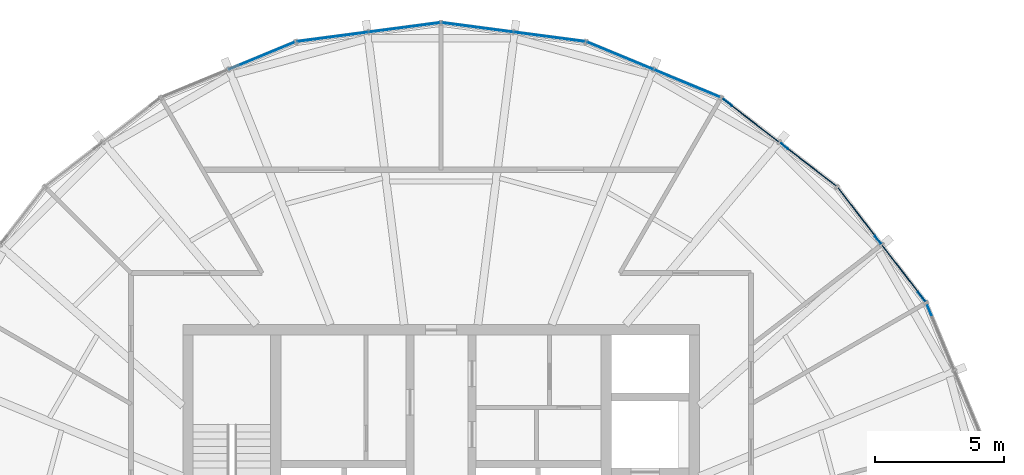
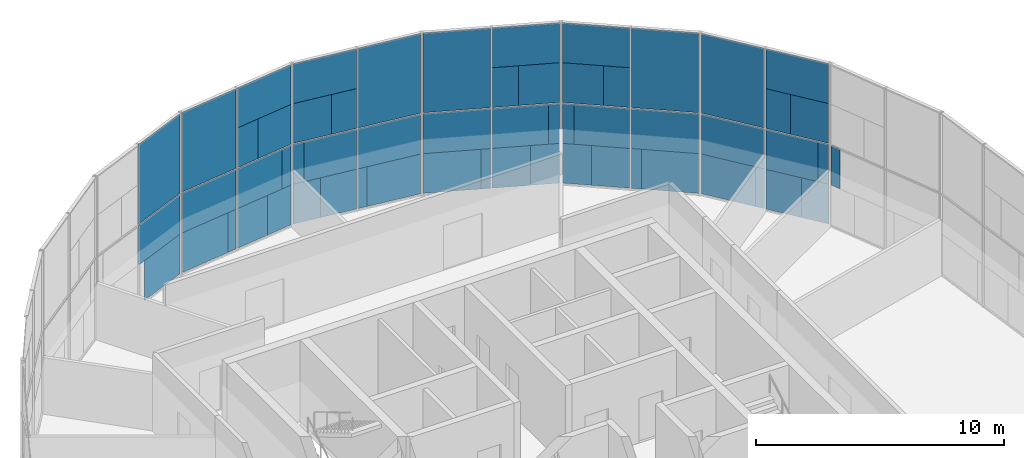
# One storey, part 14 of 18: 59 plates, 7 elements without a shape of their own.
"""IFC4 building model written with IfcOpenShell, lengths in metres."""

from ifc_helpers import new_model, si_unit, direction, frame, origin, origin_2d, place, context, subcontext, project, spatial, rectangle, extrude, material, layer, layer_set, type_object, element, aggregate, save


model = new_model("IFC4")

# Units and contexts
model_context = context("Model", 3, precision=1e-05, world=origin(), true_north=direction((0.0, 1.0)))
body_context = subcontext(model_context, "Body", "Model", "MODEL_VIEW")
ifc_project = project(units=[si_unit("LENGTHUNIT", "METRE"), si_unit("AREAUNIT", "SQUARE_METRE"), si_unit("VOLUMEUNIT", "CUBIC_METRE"), si_unit("PLANEANGLEUNIT", "RADIAN"), si_unit("MASSUNIT", "GRAM", prefix="KILO")], contexts=[model_context])

# Site, building, storey
site_placement = place(None, origin())
site = spatial("IfcSite", under=ifc_project, at=site_placement, CompositionType="ELEMENT")
building_placement = place(site_placement, origin())
building = spatial("IfcBuilding", under=site, at=building_placement, Name="Golbaran Civic Tower", CompositionType="ELEMENT")
storey_placement = place(building_placement, frame((0.0, 0.0, 272.0)))
storey = spatial("IfcBuildingStorey", under=building, at=storey_placement, Name="L66", CompositionType="ELEMENT", Elevation=272.0)

# Curtain wall, plate
ifc_material_1 = material(Name="Aluminium and glass", Category="aluminium")
curtain_wall_type = type_object("IfcCurtainWallType", Name="INNER SKIN CURTAIN WALL EXECUTIVE", PredefinedType="NOTDEFINED", material=ifc_material_1)
curtain_wall_1_placement = place(storey_placement, origin())
curtain_wall_1 = element("IfcCurtainWall", 1, at=curtain_wall_1_placement, inside=storey, type_object=curtain_wall_type, Name="Inner skin L66 facet 2 CW2", ObjectType="INNER SKIN", PredefinedType="USERDEFINED")
ifc_material_2 = material(Name="Clear insulating glass", Category="glass")
ifc_layer_1 = layer(ifc_material_2, 0.031982421875, Name="Clear insulating glass")
ifc_layer_set_1 = layer_set([ifc_layer_1], Name="Clear insulating glass")
plate_type_1 = type_object("IfcPlateType", Name="INNER SKIN CURTAIN WALL EXECUTIVE GLAZED PANEL", PredefinedType="CURTAIN_PANEL", material=ifc_layer_set_1)
plate_1_placement = place(storey_placement, frame((18.90283203125, 10.58154296875, 2.014892578125), z_axis=(0.0, 0.0, 1.0), x_axis=(-0.382683432397, 0.923879532498, 0.0)))
plate_1 = element("IfcPlate", 2, at=plate_1_placement, type_object=plate_type_1, Name="CW2 panel 2.1 part 4", PredefinedType="CURTAIN_PANEL", context=body_context, shape_type="SweptSolid", body=[
    extrude(rectangle(XDim=0.460205078125, YDim=0.031982421875, at=origin_2d()), origin(), (0.0, 0.0, 1.0), 1.955078125),
])
aggregate(curtain_wall_1, [plate_1])

# Curtain wall, plates
curtain_wall_2_placement = place(storey_placement, origin())
curtain_wall_2 = element("IfcCurtainWall", 3, at=curtain_wall_2_placement, inside=storey, type_object=curtain_wall_type, Name="Inner skin L66 facet 3 CW2", ObjectType="INNER SKIN", PredefinedType="USERDEFINED")
plate_2_placement = place(storey_placement, frame((18.395263671875, 11.366455078125, 0.06005859375), z_axis=(0.0, 0.0, 1.0), x_axis=(-0.608761429036, 0.79335334027, 0.0)))
plate_2 = element("IfcPlate", 4, at=plate_2_placement, type_object=plate_type_1, Name="CW2 panel 1.1 part 1", PredefinedType="CURTAIN_PANEL", context=body_context, shape_type="SweptSolid", body=[
    extrude(rectangle(XDim=1.18310546875, YDim=0.031982421875, at=origin_2d()), origin(), (0.0, 0.0, 1.0), 1.955078125),
])
plate_3_placement = place(storey_placement, frame((18.615234375, 11.07958984375, 2.014892578125), z_axis=(0.0, 0.0, 1.0), x_axis=(-0.608761429036, 0.79335334027, 0.0)))
plate_3 = element("IfcPlate", 5, at=plate_3_placement, type_object=plate_type_1, Name="CW2 panel 1.1 part 3", PredefinedType="CURTAIN_PANEL", context=body_context, shape_type="SweptSolid", body=[
    extrude(rectangle(XDim=0.4599609375, YDim=0.031982421875, at=origin_2d()), origin(), (0.0, 0.0, 1.0), 1.955078125),
])
plate_4_placement = place(storey_placement, frame((17.412109375, 12.647705078125, 4.030029296875), z_axis=(0.0, 0.0, 1.0), x_axis=(-0.608761429036, 0.79335334027, 0.0)))
plate_4 = element("IfcPlate", 6, at=plate_4_placement, type_object=plate_type_1, Name="CW2 panel 1.2 part 2", PredefinedType="CURTAIN_PANEL", context=body_context, shape_type="SweptSolid", body=[
    extrude(rectangle(XDim=1.0712890625, YDim=0.031982421875, at=origin_2d()), origin(), (0.0, 0.0, 1.0), 1.955078125),
])
plate_5_placement = place(storey_placement, frame((16.0927734375, 14.3671875, 0.06005859375), z_axis=(0.0, 0.0, 1.0), x_axis=(-0.608761429036, 0.79335334027, 0.0)))
plate_5 = element("IfcPlate", 7, at=plate_5_placement, type_object=plate_type_1, Name="CW2 panel 2.1 part 2", PredefinedType="CURTAIN_PANEL", context=body_context, shape_type="SweptSolid", body=[
    extrude(rectangle(XDim=2.34130859375, YDim=0.031982421875, at=origin_2d()), origin(), (0.0, 0.0, 1.0), 1.955078125),
])
plate_6_placement = place(storey_placement, frame((16.21484375, 14.2080078125, 2.014892578125), z_axis=(0.0, 0.0, 1.0), x_axis=(-0.608761429036, 0.79335334027, 0.0)))
plate_6 = element("IfcPlate", 8, at=plate_6_placement, type_object=plate_type_1, Name="CW2 panel 2.1 part 3", PredefinedType="CURTAIN_PANEL", context=body_context, shape_type="SweptSolid", body=[
    extrude(rectangle(XDim=2.7421875, YDim=0.031982421875, at=origin_2d()), origin(), (0.0, 0.0, 1.0), 1.955078125),
])
plate_7_placement = place(storey_placement, frame((16.21484375, 14.2080078125, 4.0302734375), z_axis=(0.0, 0.0, 1.0), x_axis=(-0.608761429036, 0.79335334027, 0.0)))
plate_7 = element("IfcPlate", 9, at=plate_7_placement, type_object=plate_type_1, Name="CW2 panel 2.2", PredefinedType="CURTAIN_PANEL", context=body_context, shape_type="SweptSolid", body=[
    extrude(rectangle(XDim=2.7421875, YDim=0.031982421875, at=origin_2d()), origin(), (0.0, 0.0, 1.0), 3.909912109375),
])

curtain_wall_3_placement = place(storey_placement, origin())
curtain_wall_3 = element("IfcCurtainWall", 10, at=curtain_wall_3_placement, inside=storey, type_object=curtain_wall_type, Name="Inner skin L66 facet 4 CW2", ObjectType="INNER SKIN", PredefinedType="USERDEFINED")
plate_8_placement = place(storey_placement, frame((14.3671875, 16.092529296875, 0.06005859375), z_axis=(0.0, 0.0, 1.0), x_axis=(-0.79335334027, 0.608761429036, 0.0)))
plate_8 = element("IfcPlate", 11, at=plate_8_placement, type_object=plate_type_1, Name="CW2 panel 1.1 part 1", PredefinedType="CURTAIN_PANEL", context=body_context, shape_type="SweptSolid", body=[
    extrude(rectangle(XDim=2.341064453125, YDim=0.031982421875, at=origin_2d()), origin(), (0.0, 0.0, 1.0), 1.955078125),
])
plate_9_placement = place(storey_placement, frame((14.2080078125, 16.21484375, 2.014892578125), z_axis=(0.0, 0.0, 1.0), x_axis=(-0.79335334027, 0.608761429036, 0.0)))
plate_9 = element("IfcPlate", 12, at=plate_9_placement, type_object=plate_type_1, Name="CW2 panel 1.1 part 3", PredefinedType="CURTAIN_PANEL", context=body_context, shape_type="SweptSolid", body=[
    extrude(rectangle(XDim=2.7421875, YDim=0.031982421875, at=origin_2d()), origin(), (0.0, 0.0, 1.0), 1.955078125),
])
plate_10_placement = place(storey_placement, frame((14.2080078125, 16.21484375, 4.0302734375), z_axis=(0.0, 0.0, 1.0), x_axis=(-0.79335334027, 0.608761429036, 0.0)))
plate_10 = element("IfcPlate", 13, at=plate_10_placement, type_object=plate_type_1, Name="CW2 panel 1.2", PredefinedType="CURTAIN_PANEL", context=body_context, shape_type="SweptSolid", body=[
    extrude(rectangle(XDim=2.7421875, YDim=0.031982421875, at=origin_2d()), origin(), (0.0, 0.0, 1.0), 3.909912109375),
])
plate_11_placement = place(storey_placement, frame((11.366455078125, 18.395263671875, 0.06005859375), z_axis=(0.0, 0.0, 1.0), x_axis=(-0.79335334027, 0.608761429036, 0.0)))
plate_11 = element("IfcPlate", 14, at=plate_11_placement, type_object=plate_type_1, Name="CW2 panel 2.1 part 2", PredefinedType="CURTAIN_PANEL", context=body_context, shape_type="SweptSolid", body=[
    extrude(rectangle(XDim=1.183349609375, YDim=0.031982421875, at=origin_2d()), origin(), (0.0, 0.0, 1.0), 1.955078125),
])
plate_12_placement = place(storey_placement, frame((11.07958984375, 18.615234375, 2.014892578125), z_axis=(0.0, 0.0, 1.0), x_axis=(-0.79335334027, 0.608761429036, 0.0)))
plate_12 = element("IfcPlate", 15, at=plate_12_placement, type_object=plate_type_1, Name="CW2 panel 2.1 part 4", PredefinedType="CURTAIN_PANEL", context=body_context, shape_type="SweptSolid", body=[
    extrude(rectangle(XDim=0.460205078125, YDim=0.031982421875, at=origin_2d()), origin(), (0.0, 0.0, 1.0), 1.955078125),
])
plate_13_placement = place(storey_placement, frame((12.64794921875, 17.411865234375, 4.030029296875), z_axis=(0.0, 0.0, 1.0), x_axis=(-0.79335334027, 0.608761429036, 0.0)))
plate_13 = element("IfcPlate", 16, at=plate_13_placement, type_object=plate_type_1, Name="CW2 panel 2.2 part 1", PredefinedType="CURTAIN_PANEL", context=body_context, shape_type="SweptSolid", body=[
    extrude(rectangle(XDim=1.071044921875, YDim=0.031982421875, at=origin_2d()), origin(), (0.0, 0.0, 1.0), 1.955078125),
])

curtain_wall_4_placement = place(storey_placement, origin())
curtain_wall_4 = element("IfcCurtainWall", 17, at=curtain_wall_4_placement, inside=storey, type_object=curtain_wall_type, Name="Inner skin L66 facet 5 CW2", ObjectType="INNER SKIN", PredefinedType="USERDEFINED")
plate_14_placement = place(storey_placement, frame((10.24755859375, 19.041259765625, 0.06005859375), z_axis=(0.0, 0.0, 1.0), x_axis=(-0.923879532498, 0.382683432397, 0.0)))
plate_14 = element("IfcPlate", 18, at=plate_14_placement, type_object=plate_type_1, Name="CW2 panel 1.1 part 1", PredefinedType="CURTAIN_PANEL", context=body_context, shape_type="SweptSolid", body=[
    extrude(rectangle(XDim=1.18310546875, YDim=0.031982421875, at=origin_2d()), origin(), (0.0, 0.0, 1.0), 1.955078125),
])
plate_15_placement = place(storey_placement, frame((10.58154296875, 18.90283203125, 2.014892578125), z_axis=(0.0, 0.0, 1.0), x_axis=(-0.923879532498, 0.382683432397, 0.0)))
plate_15 = element("IfcPlate", 19, at=plate_15_placement, type_object=plate_type_1, Name="CW2 panel 1.1 part 3", PredefinedType="CURTAIN_PANEL", context=body_context, shape_type="SweptSolid", body=[
    extrude(rectangle(XDim=0.4599609375, YDim=0.031982421875, at=origin_2d()), origin(), (0.0, 0.0, 1.0), 1.955078125),
])
plate_16_placement = place(storey_placement, frame((8.75537109375, 19.6591796875, 4.030029296875), z_axis=(0.0, 0.0, 1.0), x_axis=(-0.923879532498, 0.382683432397, 0.0)))
plate_16 = element("IfcPlate", 20, at=plate_16_placement, type_object=plate_type_1, Name="CW2 panel 1.2 part 2", PredefinedType="CURTAIN_PANEL", context=body_context, shape_type="SweptSolid", body=[
    extrude(rectangle(XDim=1.0712890625, YDim=0.031982421875, at=origin_2d()), origin(), (0.0, 0.0, 1.0), 1.955078125),
])
plate_17_placement = place(storey_placement, frame((6.753173828125, 20.48876953125, 0.06005859375), z_axis=(0.0, 0.0, 1.0), x_axis=(-0.923879532498, 0.382683432397, 0.0)))
plate_17 = element("IfcPlate", 21, at=plate_17_placement, type_object=plate_type_1, Name="CW2 panel 2.1 part 2", PredefinedType="CURTAIN_PANEL", context=body_context, shape_type="SweptSolid", body=[
    extrude(rectangle(XDim=2.34130859375, YDim=0.031982421875, at=origin_2d()), origin(), (0.0, 0.0, 1.0), 1.955078125),
])
plate_18_placement = place(storey_placement, frame((6.938232421875, 20.411865234375, 2.014892578125), z_axis=(0.0, 0.0, 1.0), x_axis=(-0.923879532498, 0.382683432397, 0.0)))
plate_18 = element("IfcPlate", 22, at=plate_18_placement, type_object=plate_type_1, Name="CW2 panel 2.1 part 3", PredefinedType="CURTAIN_PANEL", context=body_context, shape_type="SweptSolid", body=[
    extrude(rectangle(XDim=2.7421875, YDim=0.031982421875, at=origin_2d()), origin(), (0.0, 0.0, 1.0), 1.955078125),
])
plate_19_placement = place(storey_placement, frame((6.938232421875, 20.411865234375, 4.0302734375), z_axis=(0.0, 0.0, 1.0), x_axis=(-0.923879532498, 0.382683432397, 0.0)))
plate_19 = element("IfcPlate", 23, at=plate_19_placement, type_object=plate_type_1, Name="CW2 panel 2.2", PredefinedType="CURTAIN_PANEL", context=body_context, shape_type="SweptSolid", body=[
    extrude(rectangle(XDim=2.7421875, YDim=0.031982421875, at=origin_2d()), origin(), (0.0, 0.0, 1.0), 3.909912109375),
])

curtain_wall_5_placement = place(storey_placement, origin())
curtain_wall_5 = element("IfcCurtainWall", 24, at=curtain_wall_5_placement, inside=storey, type_object=curtain_wall_type, Name="Inner skin L66 facet 6 CW2", ObjectType="INNER SKIN", PredefinedType="USERDEFINED")
plate_20_placement = place(storey_placement, frame((4.396240234375, 21.1201171875, 0.06005859375), z_axis=(0.0, 0.0, 1.0), x_axis=(-0.991444861383, 0.130526192151, 0.0)))
plate_20 = element("IfcPlate", 25, at=plate_20_placement, type_object=plate_type_1, Name="CW2 panel 1.1 part 1", PredefinedType="CURTAIN_PANEL", context=body_context, shape_type="SweptSolid", body=[
    extrude(rectangle(XDim=2.341064453125, YDim=0.031982421875, at=origin_2d()), origin(), (0.0, 0.0, 1.0), 1.955078125),
])
plate_21_placement = place(storey_placement, frame((4.197265625, 21.146484375, 2.014892578125), z_axis=(0.0, 0.0, 1.0), x_axis=(-0.991444861383, 0.130526192151, 0.0)))
plate_21 = element("IfcPlate", 26, at=plate_21_placement, type_object=plate_type_1, Name="CW2 panel 1.1 part 3", PredefinedType="CURTAIN_PANEL", context=body_context, shape_type="SweptSolid", body=[
    extrude(rectangle(XDim=2.7421875, YDim=0.031982421875, at=origin_2d()), origin(), (0.0, 0.0, 1.0), 1.955078125),
])
plate_22_placement = place(storey_placement, frame((4.197265625, 21.146484375, 4.0302734375), z_axis=(0.0, 0.0, 1.0), x_axis=(-0.991444861383, 0.130526192151, 0.0)))
plate_22 = element("IfcPlate", 27, at=plate_22_placement, type_object=plate_type_1, Name="CW2 panel 1.2", PredefinedType="CURTAIN_PANEL", context=body_context, shape_type="SweptSolid", body=[
    extrude(rectangle(XDim=2.7421875, YDim=0.031982421875, at=origin_2d()), origin(), (0.0, 0.0, 1.0), 3.909912109375),
])
plate_23_placement = place(storey_placement, frame((0.64599609375, 21.614013671875, 0.06005859375), z_axis=(0.0, 0.0, 1.0), x_axis=(-0.991444861383, 0.130526192151, 0.0)))
plate_23 = element("IfcPlate", 28, at=plate_23_placement, type_object=plate_type_1, Name="CW2 panel 2.1 part 2", PredefinedType="CURTAIN_PANEL", context=body_context, shape_type="SweptSolid", body=[
    extrude(rectangle(XDim=1.183349609375, YDim=0.031982421875, at=origin_2d()), origin(), (0.0, 0.0, 1.0), 1.955078125),
])
plate_24_placement = place(storey_placement, frame((0.28759765625, 21.6611328125, 2.014892578125), z_axis=(0.0, 0.0, 1.0), x_axis=(-0.991444861383, 0.130526192151, 0.0)))
plate_24 = element("IfcPlate", 29, at=plate_24_placement, type_object=plate_type_1, Name="CW2 panel 2.1 part 4", PredefinedType="CURTAIN_PANEL", context=body_context, shape_type="SweptSolid", body=[
    extrude(rectangle(XDim=0.460205078125, YDim=0.031982421875, at=origin_2d()), origin(), (0.0, 0.0, 1.0), 1.955078125),
])
plate_25_placement = place(storey_placement, frame((2.247314453125, 21.403076171875, 4.030029296875), z_axis=(0.0, 0.0, 1.0), x_axis=(-0.991444861383, 0.130526192151, 0.0)))
plate_25 = element("IfcPlate", 30, at=plate_25_placement, type_object=plate_type_1, Name="CW2 panel 2.2 part 1", PredefinedType="CURTAIN_PANEL", context=body_context, shape_type="SweptSolid", body=[
    extrude(rectangle(XDim=1.071044921875, YDim=0.031982421875, at=origin_2d()), origin(), (0.0, 0.0, 1.0), 1.955078125),
])

curtain_wall_6_placement = place(storey_placement, origin())
curtain_wall_6 = element("IfcCurtainWall", 31, at=curtain_wall_6_placement, inside=storey, type_object=curtain_wall_type, Name="Inner skin L66 facet 7 CW2", ObjectType="INNER SKIN", PredefinedType="USERDEFINED")
plate_26_placement = place(storey_placement, frame((-0.64599609375, 21.614013671875, 0.06005859375), z_axis=(0.0, 0.0, 1.0), x_axis=(-0.991444861383, -0.130526192151, 0.0)))
plate_26 = element("IfcPlate", 32, at=plate_26_placement, type_object=plate_type_1, Name="CW2 panel 1.1 part 1", PredefinedType="CURTAIN_PANEL", context=body_context, shape_type="SweptSolid", body=[
    extrude(rectangle(XDim=1.18310546875, YDim=0.031982421875, at=origin_2d()), origin(), (0.0, 0.0, 1.0), 1.955078125),
])
plate_27_placement = place(storey_placement, frame((-0.28759765625, 21.6611328125, 2.014892578125), z_axis=(0.0, 0.0, 1.0), x_axis=(-0.991444861383, -0.130526192151, 0.0)))
plate_27 = element("IfcPlate", 33, at=plate_27_placement, type_object=plate_type_1, Name="CW2 panel 1.1 part 3", PredefinedType="CURTAIN_PANEL", context=body_context, shape_type="SweptSolid", body=[
    extrude(rectangle(XDim=0.4599609375, YDim=0.031982421875, at=origin_2d()), origin(), (0.0, 0.0, 1.0), 1.955078125),
])
plate_28_placement = place(storey_placement, frame((-2.247314453125, 21.403076171875, 4.030029296875), z_axis=(0.0, 0.0, 1.0), x_axis=(-0.991444861383, -0.130526192151, 0.0)))
plate_28 = element("IfcPlate", 34, at=plate_28_placement, type_object=plate_type_1, Name="CW2 panel 1.2 part 2", PredefinedType="CURTAIN_PANEL", context=body_context, shape_type="SweptSolid", body=[
    extrude(rectangle(XDim=1.0712890625, YDim=0.031982421875, at=origin_2d()), origin(), (0.0, 0.0, 1.0), 1.955078125),
])
plate_29_placement = place(storey_placement, frame((-4.39599609375, 21.120361328125, 0.06005859375), z_axis=(0.0, 0.0, 1.0), x_axis=(-0.991444861383, -0.130526192151, 0.0)))
plate_29 = element("IfcPlate", 35, at=plate_29_placement, type_object=plate_type_1, Name="CW2 panel 2.1 part 2", PredefinedType="CURTAIN_PANEL", context=body_context, shape_type="SweptSolid", body=[
    extrude(rectangle(XDim=2.34130859375, YDim=0.031982421875, at=origin_2d()), origin(), (0.0, 0.0, 1.0), 1.955078125),
])
plate_30_placement = place(storey_placement, frame((-4.197265625, 21.146484375, 2.014892578125), z_axis=(0.0, 0.0, 1.0), x_axis=(-0.991444861383, -0.130526192151, 0.0)))
plate_30 = element("IfcPlate", 36, at=plate_30_placement, type_object=plate_type_1, Name="CW2 panel 2.1 part 3", PredefinedType="CURTAIN_PANEL", context=body_context, shape_type="SweptSolid", body=[
    extrude(rectangle(XDim=2.7421875, YDim=0.031982421875, at=origin_2d()), origin(), (0.0, 0.0, 1.0), 1.955078125),
])
plate_31_placement = place(storey_placement, frame((-4.197265625, 21.146484375, 4.0302734375), z_axis=(0.0, 0.0, 1.0), x_axis=(-0.991444861383, -0.130526192151, 0.0)))
plate_31 = element("IfcPlate", 37, at=plate_31_placement, type_object=plate_type_1, Name="CW2 panel 2.2", PredefinedType="CURTAIN_PANEL", context=body_context, shape_type="SweptSolid", body=[
    extrude(rectangle(XDim=2.7421875, YDim=0.031982421875, at=origin_2d()), origin(), (0.0, 0.0, 1.0), 3.909912109375),
])

curtain_wall_7_placement = place(storey_placement, origin())
curtain_wall_7 = element("IfcCurtainWall", 38, at=curtain_wall_7_placement, inside=storey, type_object=curtain_wall_type, Name="Inner skin L66 facet 8 CW2", ObjectType="INNER SKIN", PredefinedType="USERDEFINED")
plate_32_placement = place(storey_placement, frame((-6.7529296875, 20.48876953125, 0.06005859375), z_axis=(0.0, 0.0, 1.0), x_axis=(-0.923879532498, -0.382683432397, 0.0)))
plate_32 = element("IfcPlate", 39, at=plate_32_placement, type_object=plate_type_1, Name="CW2 panel 1.1 part 1", PredefinedType="CURTAIN_PANEL", context=body_context, shape_type="SweptSolid", body=[
    extrude(rectangle(XDim=2.341064453125, YDim=0.031982421875, at=origin_2d()), origin(), (0.0, 0.0, 1.0), 1.955078125),
])
plate_33_placement = place(storey_placement, frame((-6.938232421875, 20.411865234375, 2.014892578125), z_axis=(0.0, 0.0, 1.0), x_axis=(-0.923879532498, -0.382683432397, 0.0)))
plate_33 = element("IfcPlate", 40, at=plate_33_placement, type_object=plate_type_1, Name="CW2 panel 1.1 part 3", PredefinedType="CURTAIN_PANEL", context=body_context, shape_type="SweptSolid", body=[
    extrude(rectangle(XDim=2.7421875, YDim=0.031982421875, at=origin_2d()), origin(), (0.0, 0.0, 1.0), 1.955078125),
])
plate_34_placement = place(storey_placement, frame((-6.938232421875, 20.411865234375, 4.0302734375), z_axis=(0.0, 0.0, 1.0), x_axis=(-0.923879532498, -0.382683432397, 0.0)))
plate_34 = element("IfcPlate", 41, at=plate_34_placement, type_object=plate_type_1, Name="CW2 panel 1.2", PredefinedType="CURTAIN_PANEL", context=body_context, shape_type="SweptSolid", body=[
    extrude(rectangle(XDim=2.7421875, YDim=0.031982421875, at=origin_2d()), origin(), (0.0, 0.0, 1.0), 3.909912109375),
])
aggregate(curtain_wall_7, [plate_32, plate_33, plate_34])

# Plate
ifc_material_3 = material(Name="Aluminium faced opaque infill panel", Category="aluminium")
ifc_layer_2 = layer(ifc_material_3, 0.031982421875, Name="Aluminium faced opaque infill panel")
ifc_layer_set_2 = layer_set([ifc_layer_2], Name="Aluminium faced opaque infill panel")
plate_type_2 = type_object("IfcPlateType", Name="INNER SKIN CURTAIN WALL EXECUTIVE OPAQUE INFILL PANEL", PredefinedType="CURTAIN_PANEL", material=ifc_layer_set_2)
plate_35_placement = place(storey_placement, frame((17.560546875, 12.4541015625, 0.06005859375), z_axis=(0.0, 0.0, 1.0), x_axis=(-0.608761429036, 0.79335334027, 0.0)))
plate_35 = element("IfcPlate", 42, at=plate_35_placement, type_object=plate_type_2, Name="CW2 infill panel 1.1 part 2", PredefinedType="CURTAIN_PANEL", context=body_context, shape_type="SweptSolid", body=[
    extrude(rectangle(XDim=1.559326171875, YDim=0.031982421875, at=origin_2d()), origin(), (0.0, 0.0, 1.0), 1.955078125),
])

plate_36_placement = place(storey_placement, frame((17.78076171875, 12.16748046875, 2.014892578125), z_axis=(0.0, 0.0, 1.0), x_axis=(-0.608761429036, 0.79335334027, 0.0)))
plate_36 = element("IfcPlate", 43, at=plate_36_placement, type_object=plate_type_2, Name="CW2 infill panel 1.1 part 4", PredefinedType="CURTAIN_PANEL", context=body_context, shape_type="SweptSolid", body=[
    extrude(rectangle(XDim=2.2822265625, YDim=0.031982421875, at=origin_2d()), origin(), (0.0, 0.0, 1.0), 1.955078125),
])

plate_37_placement = place(storey_placement, frame((18.246826171875, 11.56005859375, 4.030029296875), z_axis=(0.0, 0.0, 1.0), x_axis=(-0.608761429036, 0.79335334027, 0.0)))
plate_37 = element("IfcPlate", 44, at=plate_37_placement, type_object=plate_type_2, Name="CW2 infill panel 1.2 part 1", PredefinedType="CURTAIN_PANEL", context=body_context, shape_type="SweptSolid", body=[
    extrude(rectangle(XDim=1.6708984375, YDim=0.031982421875, at=origin_2d()), origin(), (0.0, 0.0, 1.0), 1.955078125),
])

plate_38_placement = place(storey_placement, frame((17.920654296875, 11.98486328125, 5.98486328125), z_axis=(0.0, 0.0, 1.0), x_axis=(-0.608761429036, 0.79335334027, 0.0)))
plate_38 = element("IfcPlate", 45, at=plate_38_placement, type_object=plate_type_2, Name="CW2 infill panel 1.2 part 3", PredefinedType="CURTAIN_PANEL", context=body_context, shape_type="SweptSolid", body=[
    extrude(rectangle(XDim=2.7421875, YDim=0.031982421875, at=origin_2d()), origin(), (0.0, 0.0, 1.0), 1.955078125),
])

plate_39_placement = place(storey_placement, frame((16.927490234375, 13.279296875, 0.06005859375), z_axis=(0.0, 0.0, 1.0), x_axis=(-0.608761429036, 0.79335334027, 0.0)))
plate_39 = element("IfcPlate", 46, at=plate_39_placement, type_object=plate_type_2, Name="CW2 infill panel 2.1 part 1", PredefinedType="CURTAIN_PANEL", context=body_context, shape_type="SweptSolid", body=[
    extrude(rectangle(XDim=0.40087890625, YDim=0.031982421875, at=origin_2d()), origin(), (0.0, 0.0, 1.0), 1.955078125),
])

aggregate(curtain_wall_2, [plate_2, plate_35, plate_3, plate_36, plate_37, plate_4, plate_38, plate_39, plate_5, plate_6, plate_7])

plate_40_placement = place(storey_placement, frame((13.279541015625, 16.92724609375, 0.06005859375), z_axis=(0.0, 0.0, 1.0), x_axis=(-0.79335334027, 0.608761429036, 0.0)))
plate_40 = element("IfcPlate", 47, at=plate_40_placement, type_object=plate_type_2, Name="CW2 infill panel 1.1 part 2", PredefinedType="CURTAIN_PANEL", context=body_context, shape_type="SweptSolid", body=[
    extrude(rectangle(XDim=0.4013671875, YDim=0.031982421875, at=origin_2d()), origin(), (0.0, 0.0, 1.0), 1.955078125),
])

plate_41_placement = place(storey_placement, frame((12.454345703125, 17.560546875, 0.06005859375), z_axis=(0.0, 0.0, 1.0), x_axis=(-0.79335334027, 0.608761429036, 0.0)))
plate_41 = element("IfcPlate", 48, at=plate_41_placement, type_object=plate_type_2, Name="CW2 infill panel 2.1 part 1", PredefinedType="CURTAIN_PANEL", context=body_context, shape_type="SweptSolid", body=[
    extrude(rectangle(XDim=1.55908203125, YDim=0.031982421875, at=origin_2d()), origin(), (0.0, 0.0, 1.0), 1.955078125),
])

plate_42_placement = place(storey_placement, frame((12.16748046875, 17.780517578125, 2.014892578125), z_axis=(0.0, 0.0, 1.0), x_axis=(-0.79335334027, 0.608761429036, 0.0)))
plate_42 = element("IfcPlate", 49, at=plate_42_placement, type_object=plate_type_2, Name="CW2 infill panel 2.1 part 3", PredefinedType="CURTAIN_PANEL", context=body_context, shape_type="SweptSolid", body=[
    extrude(rectangle(XDim=2.281982421875, YDim=0.031982421875, at=origin_2d()), origin(), (0.0, 0.0, 1.0), 1.955078125),
])

plate_43_placement = place(storey_placement, frame((11.56005859375, 18.24658203125, 4.030029296875), z_axis=(0.0, 0.0, 1.0), x_axis=(-0.79335334027, 0.608761429036, 0.0)))
plate_43 = element("IfcPlate", 50, at=plate_43_placement, type_object=plate_type_2, Name="CW2 infill panel 2.2 part 2", PredefinedType="CURTAIN_PANEL", context=body_context, shape_type="SweptSolid", body=[
    extrude(rectangle(XDim=1.67138671875, YDim=0.031982421875, at=origin_2d()), origin(), (0.0, 0.0, 1.0), 1.955078125),
])

plate_44_placement = place(storey_placement, frame((11.98486328125, 17.920654296875, 5.98486328125), z_axis=(0.0, 0.0, 1.0), x_axis=(-0.79335334027, 0.608761429036, 0.0)))
plate_44 = element("IfcPlate", 51, at=plate_44_placement, type_object=plate_type_2, Name="CW2 infill panel 2.2 part 3", PredefinedType="CURTAIN_PANEL", context=body_context, shape_type="SweptSolid", body=[
    extrude(rectangle(XDim=2.7421875, YDim=0.031982421875, at=origin_2d()), origin(), (0.0, 0.0, 1.0), 1.955078125),
])

aggregate(curtain_wall_3, [plate_8, plate_40, plate_9, plate_10, plate_41, plate_11, plate_42, plate_12, plate_13, plate_43, plate_44])

plate_45_placement = place(storey_placement, frame((8.980712890625, 19.56591796875, 0.06005859375), z_axis=(0.0, 0.0, 1.0), x_axis=(-0.923879532498, 0.382683432397, 0.0)))
plate_45 = element("IfcPlate", 52, at=plate_45_placement, type_object=plate_type_2, Name="CW2 infill panel 1.1 part 2", PredefinedType="CURTAIN_PANEL", context=body_context, shape_type="SweptSolid", body=[
    extrude(rectangle(XDim=1.559326171875, YDim=0.031982421875, at=origin_2d()), origin(), (0.0, 0.0, 1.0), 1.955078125),
])

plate_46_placement = place(storey_placement, frame((9.314697265625, 19.427490234375, 2.014892578125), z_axis=(0.0, 0.0, 1.0), x_axis=(-0.923879532498, 0.382683432397, 0.0)))
plate_46 = element("IfcPlate", 53, at=plate_46_placement, type_object=plate_type_2, Name="CW2 infill panel 1.1 part 4", PredefinedType="CURTAIN_PANEL", context=body_context, shape_type="SweptSolid", body=[
    extrude(rectangle(XDim=2.2822265625, YDim=0.031982421875, at=origin_2d()), origin(), (0.0, 0.0, 1.0), 1.955078125),
])

plate_47_placement = place(storey_placement, frame((10.022216796875, 19.134521484375, 4.030029296875), z_axis=(0.0, 0.0, 1.0), x_axis=(-0.923879532498, 0.382683432397, 0.0)))
plate_47 = element("IfcPlate", 54, at=plate_47_placement, type_object=plate_type_2, Name="CW2 infill panel 1.2 part 1", PredefinedType="CURTAIN_PANEL", context=body_context, shape_type="SweptSolid", body=[
    extrude(rectangle(XDim=1.6708984375, YDim=0.031982421875, at=origin_2d()), origin(), (0.0, 0.0, 1.0), 1.955078125),
])

plate_48_placement = place(storey_placement, frame((9.52734375, 19.339599609375, 5.98486328125), z_axis=(0.0, 0.0, 1.0), x_axis=(-0.923879532498, 0.382683432397, 0.0)))
plate_48 = element("IfcPlate", 55, at=plate_48_placement, type_object=plate_type_2, Name="CW2 infill panel 1.2 part 3", PredefinedType="CURTAIN_PANEL", context=body_context, shape_type="SweptSolid", body=[
    extrude(rectangle(XDim=2.7421875, YDim=0.031982421875, at=origin_2d()), origin(), (0.0, 0.0, 1.0), 1.955078125),
])

plate_49_placement = place(storey_placement, frame((8.019775390625, 19.9638671875, 0.06005859375), z_axis=(0.0, 0.0, 1.0), x_axis=(-0.923879532498, 0.382683432397, 0.0)))
plate_49 = element("IfcPlate", 56, at=plate_49_placement, type_object=plate_type_2, Name="CW2 infill panel 2.1 part 1", PredefinedType="CURTAIN_PANEL", context=body_context, shape_type="SweptSolid", body=[
    extrude(rectangle(XDim=0.40087890625, YDim=0.031982421875, at=origin_2d()), origin(), (0.0, 0.0, 1.0), 1.955078125),
])

aggregate(curtain_wall_4, [plate_14, plate_45, plate_15, plate_46, plate_47, plate_16, plate_48, plate_49, plate_17, plate_18, plate_19])

plate_50_placement = place(storey_placement, frame((3.03662109375, 21.29931640625, 0.06005859375), z_axis=(0.0, 0.0, 1.0), x_axis=(-0.991444861383, 0.130526192151, 0.0)))
plate_50 = element("IfcPlate", 57, at=plate_50_placement, type_object=plate_type_2, Name="CW2 infill panel 1.1 part 2", PredefinedType="CURTAIN_PANEL", context=body_context, shape_type="SweptSolid", body=[
    extrude(rectangle(XDim=0.4013671875, YDim=0.031982421875, at=origin_2d()), origin(), (0.0, 0.0, 1.0), 1.955078125),
])

plate_51_placement = place(storey_placement, frame((2.00537109375, 21.43505859375, 0.06005859375), z_axis=(0.0, 0.0, 1.0), x_axis=(-0.991444861383, 0.130526192151, 0.0)))
plate_51 = element("IfcPlate", 58, at=plate_51_placement, type_object=plate_type_2, Name="CW2 infill panel 2.1 part 1", PredefinedType="CURTAIN_PANEL", context=body_context, shape_type="SweptSolid", body=[
    extrude(rectangle(XDim=1.55908203125, YDim=0.031982421875, at=origin_2d()), origin(), (0.0, 0.0, 1.0), 1.955078125),
])

plate_52_placement = place(storey_placement, frame((1.64697265625, 21.482177734375, 2.014892578125), z_axis=(0.0, 0.0, 1.0), x_axis=(-0.991444861383, 0.130526192151, 0.0)))
plate_52 = element("IfcPlate", 59, at=plate_52_placement, type_object=plate_type_2, Name="CW2 infill panel 2.1 part 3", PredefinedType="CURTAIN_PANEL", context=body_context, shape_type="SweptSolid", body=[
    extrude(rectangle(XDim=2.281982421875, YDim=0.031982421875, at=origin_2d()), origin(), (0.0, 0.0, 1.0), 1.955078125),
])

plate_53_placement = place(storey_placement, frame((0.887939453125, 21.58203125, 4.030029296875), z_axis=(0.0, 0.0, 1.0), x_axis=(-0.991444861383, 0.130526192151, 0.0)))
plate_53 = element("IfcPlate", 60, at=plate_53_placement, type_object=plate_type_2, Name="CW2 infill panel 2.2 part 2", PredefinedType="CURTAIN_PANEL", context=body_context, shape_type="SweptSolid", body=[
    extrude(rectangle(XDim=1.67138671875, YDim=0.031982421875, at=origin_2d()), origin(), (0.0, 0.0, 1.0), 1.955078125),
])

plate_54_placement = place(storey_placement, frame((1.4189453125, 21.51220703125, 5.98486328125), z_axis=(0.0, 0.0, 1.0), x_axis=(-0.991444861383, 0.130526192151, 0.0)))
plate_54 = element("IfcPlate", 61, at=plate_54_placement, type_object=plate_type_2, Name="CW2 infill panel 2.2 part 3", PredefinedType="CURTAIN_PANEL", context=body_context, shape_type="SweptSolid", body=[
    extrude(rectangle(XDim=2.7421875, YDim=0.031982421875, at=origin_2d()), origin(), (0.0, 0.0, 1.0), 1.955078125),
])

aggregate(curtain_wall_5, [plate_20, plate_50, plate_21, plate_22, plate_51, plate_23, plate_52, plate_24, plate_25, plate_53, plate_54])

plate_55_placement = place(storey_placement, frame((-2.00537109375, 21.43505859375, 0.06005859375), z_axis=(0.0, 0.0, 1.0), x_axis=(-0.991444861383, -0.130526192151, 0.0)))
plate_55 = element("IfcPlate", 62, at=plate_55_placement, type_object=plate_type_2, Name="CW2 infill panel 1.1 part 2", PredefinedType="CURTAIN_PANEL", context=body_context, shape_type="SweptSolid", body=[
    extrude(rectangle(XDim=1.559326171875, YDim=0.031982421875, at=origin_2d()), origin(), (0.0, 0.0, 1.0), 1.955078125),
])

plate_56_placement = place(storey_placement, frame((-1.64697265625, 21.482177734375, 2.014892578125), z_axis=(0.0, 0.0, 1.0), x_axis=(-0.991444861383, -0.130526192151, 0.0)))
plate_56 = element("IfcPlate", 63, at=plate_56_placement, type_object=plate_type_2, Name="CW2 infill panel 1.1 part 4", PredefinedType="CURTAIN_PANEL", context=body_context, shape_type="SweptSolid", body=[
    extrude(rectangle(XDim=2.2822265625, YDim=0.031982421875, at=origin_2d()), origin(), (0.0, 0.0, 1.0), 1.955078125),
])

plate_57_placement = place(storey_placement, frame((-0.887939453125, 21.58203125, 4.030029296875), z_axis=(0.0, 0.0, 1.0), x_axis=(-0.991444861383, -0.130526192151, 0.0)))
plate_57 = element("IfcPlate", 64, at=plate_57_placement, type_object=plate_type_2, Name="CW2 infill panel 1.2 part 1", PredefinedType="CURTAIN_PANEL", context=body_context, shape_type="SweptSolid", body=[
    extrude(rectangle(XDim=1.6708984375, YDim=0.031982421875, at=origin_2d()), origin(), (0.0, 0.0, 1.0), 1.955078125),
])

plate_58_placement = place(storey_placement, frame((-1.4189453125, 21.51220703125, 5.98486328125), z_axis=(0.0, 0.0, 1.0), x_axis=(-0.991444861383, -0.130526192151, 0.0)))
plate_58 = element("IfcPlate", 65, at=plate_58_placement, type_object=plate_type_2, Name="CW2 infill panel 1.2 part 3", PredefinedType="CURTAIN_PANEL", context=body_context, shape_type="SweptSolid", body=[
    extrude(rectangle(XDim=2.7421875, YDim=0.031982421875, at=origin_2d()), origin(), (0.0, 0.0, 1.0), 1.955078125),
])

plate_59_placement = place(storey_placement, frame((-3.03662109375, 21.29931640625, 0.06005859375), z_axis=(0.0, 0.0, 1.0), x_axis=(-0.991444861383, -0.130526192151, 0.0)))
plate_59 = element("IfcPlate", 66, at=plate_59_placement, type_object=plate_type_2, Name="CW2 infill panel 2.1 part 1", PredefinedType="CURTAIN_PANEL", context=body_context, shape_type="SweptSolid", body=[
    extrude(rectangle(XDim=0.40087890625, YDim=0.031982421875, at=origin_2d()), origin(), (0.0, 0.0, 1.0), 1.955078125),
])

aggregate(curtain_wall_6, [plate_26, plate_55, plate_27, plate_56, plate_57, plate_28, plate_58, plate_59, plate_29, plate_30, plate_31])

save(model, "model.ifc")
